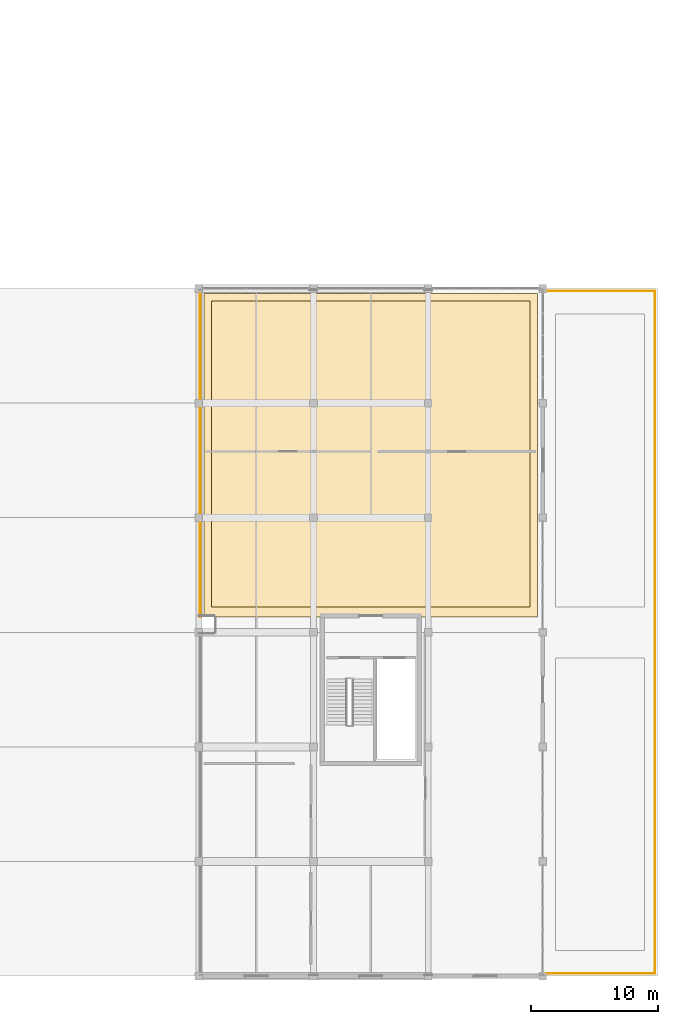
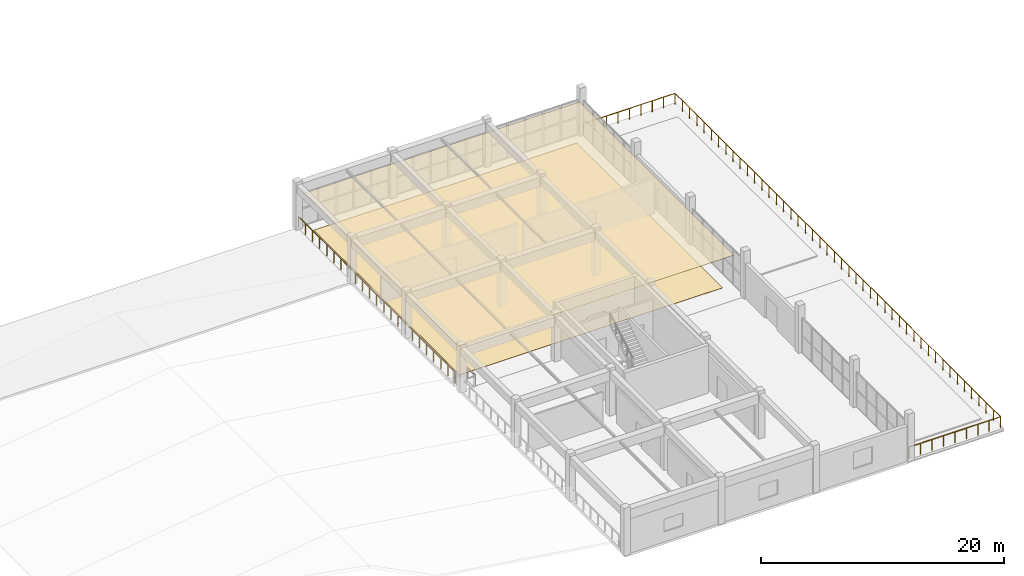
# One storey, part 81 of 89: 2 coverings, 2 railings.
"""IFC4 building model written with IfcOpenShell, lengths in metres."""

from ifc_helpers import new_model, si_unit, direction, frame, origin, origin_2d, place, context, subcontext, project, spatial, polyline, circle, outline, extrude, material, layer, layer_set, type_object, element, save


model = new_model("IFC4")

# Units and contexts
model_context = context("Model", 3, precision=1e-05, world=origin(), true_north=direction((0.0, 1.0)))
body_context = subcontext(model_context, "Body", "Model", "MODEL_VIEW")
ifc_project = project(units=[si_unit("LENGTHUNIT", "METRE"), si_unit("AREAUNIT", "SQUARE_METRE"), si_unit("VOLUMEUNIT", "CUBIC_METRE"), si_unit("PLANEANGLEUNIT", "RADIAN"), si_unit("MASSUNIT", "GRAM", prefix="KILO")], contexts=[model_context])

# Site, building, storey
site_placement = place(None, origin())
site = spatial("IfcSite", under=ifc_project, at=site_placement, CompositionType="ELEMENT")
building_placement = place(site_placement, origin())
building = spatial("IfcBuilding", under=site, at=building_placement, Name="Dornveld Trade and Exhibition Forum", CompositionType="ELEMENT")
storey_placement = place(building_placement, frame((0.0, 0.0, 12.0)))
storey = spatial("IfcBuildingStorey", under=building, at=storey_placement, Name="L02", CompositionType="ELEMENT", Elevation=12.0)

# Coverings
ifc_material_1 = material(Name="Suspended timber-slat acoustic ceiling", Category="wood")
ifc_layer_1 = layer(ifc_material_1, 0.034912109375)
ifc_layer_set_1 = layer_set([ifc_layer_1], Name="Suspended timber-slat acoustic ceiling")
covering_type_1 = type_object("IfcCoveringType", Name="COV-CLG-ACOUST", PredefinedType="CEILING", material=ifc_layer_set_1)
covering_1_placement = place(storey_placement, frame((0.0, 0.0, 3.5400390625)))
element("IfcCovering", 1, at=covering_1_placement, inside=storey, type_object=covering_type_1, Name="L02 acoustic timber-slat ceiling 3", PredefinedType="CEILING", context=body_context, shape_type="SweptSolid", body=[
    extrude(outline(polyline([(198.39990234375, 28.199951171875), (224.60009765625, 28.199951171875), (224.60009765625, 53.60009765625), (198.39990234375, 53.60009765625), (198.39990234375, 28.199951171875)])), origin(), (0.0, 0.0, 1.0), 0.034912109375),
])
ifc_material_2 = material(Name="Acoustic woven wool congress flooring", Category="textile")
ifc_layer_2 = layer(ifc_material_2, 0.01806640625)
ifc_layer_set_2 = layer_set([ifc_layer_2], Name="Acoustic woven wool congress flooring")
covering_type_2 = type_object("IfcCoveringType", Name="COV-FLR-CARP", PredefinedType="FLOORING", material=ifc_layer_set_2)
covering_2_placement = place(storey_placement, origin())
element("IfcCovering", 2, at=covering_2_placement, inside=storey, type_object=covering_type_2, Name="L02 architectural floor finish 5", PredefinedType="FLOORING", context=body_context, shape_type="SweptSolid", body=[
    extrude(outline(polyline([(199.0, 29.0), (224.0, 29.0), (224.0, 53.0), (199.0, 53.0), (199.0, 29.0)])), origin(), (0.0, 0.0, 1.0), 0.01806640625),
])

# Railings
ifc_material_3 = material(Name="Dark-bronze steel and laminated glass balustrade", Category="steel")
railing_type = type_object("IfcRailingType", Name="RL-BALUST-CONC", PredefinedType="BALUSTRADE", material=ifc_material_3)
railing_1_placement = place(storey_placement, frame((225.10009765625, 0.199951171875, 0.0)))
element("IfcRailing", 3, at=railing_1_placement, inside=storey, type_object=railing_type, Name="L02 protective edge guard 3", PredefinedType="BALUSTRADE", context=body_context, shape_type="SweptSolid", body=[
    extrude(circle(Radius=0.02490234375, at=origin_2d()), frame((0.0, 0.0, 1.09521484375), z_axis=(1.0, 0.0, 0.0), x_axis=(0.0, 1.0, 0.0)), (0.0, 0.0, 1.0), 8.699951171875),
    extrude(circle(Radius=0.02490234375, at=origin_2d()), frame((8.699951171875, 0.0, 1.09521484375), z_axis=(0.0, 1.0, 0.0), x_axis=(-1.0, 0.0, 0.0)), (0.0, 0.0, 1.0), 53.60009765625),
    extrude(circle(Radius=0.02490234375, at=origin_2d()), frame((8.699951171875, 53.60009765625, 1.09521484375), z_axis=(-1.0, 0.0, 0.0), x_axis=(0.0, -1.0, 0.0)), (0.0, 0.0, 1.0), 8.699951171875),
    extrude(circle(Radius=0.02099609375, at=origin_2d()), origin(), (0.0, 0.0, 1.0), 1.070068359375),
    extrude(circle(Radius=0.02099609375, at=origin_2d()), frame((1.08740234375, 0.0, 0.0)), (0.0, 0.0, 1.0), 1.070068359375),
    extrude(circle(Radius=0.02099609375, at=origin_2d()), frame((2.175048828125, 0.0, 0.0)), (0.0, 0.0, 1.0), 1.070068359375),
    extrude(circle(Radius=0.02099609375, at=origin_2d()), frame((3.262451171875, 0.0, 0.0)), (0.0, 0.0, 1.0), 1.070068359375),
    extrude(circle(Radius=0.02099609375, at=origin_2d()), frame((4.35009765625, 0.0, 0.0)), (0.0, 0.0, 1.0), 1.070068359375),
    extrude(circle(Radius=0.02099609375, at=origin_2d()), frame((5.4375, 0.0, 0.0)), (0.0, 0.0, 1.0), 1.070068359375),
    extrude(circle(Radius=0.02099609375, at=origin_2d()), frame((6.52490234375, 0.0, 0.0)), (0.0, 0.0, 1.0), 1.070068359375),
    extrude(circle(Radius=0.02099609375, at=origin_2d()), frame((7.612548828125, 0.0, 0.0)), (0.0, 0.0, 1.0), 1.070068359375),
    extrude(circle(Radius=0.02099609375, at=origin_2d()), frame((8.699951171875, 0.0, 0.0)), (0.0, 0.0, 1.0), 1.070068359375),
    extrude(circle(Radius=0.02099609375, at=origin_2d()), frame((8.699951171875, 1.191162109375, 0.0)), (0.0, 0.0, 1.0), 1.070068359375),
    extrude(circle(Radius=0.02099609375, at=origin_2d()), frame((8.699951171875, 2.38232421875, 0.0)), (0.0, 0.0, 1.0), 1.070068359375),
    extrude(circle(Radius=0.02099609375, at=origin_2d()), frame((8.699951171875, 3.5732421875, 0.0)), (0.0, 0.0, 1.0), 1.070068359375),
    extrude(circle(Radius=0.02099609375, at=origin_2d()), frame((8.699951171875, 4.764404296875, 0.0)), (0.0, 0.0, 1.0), 1.070068359375),
    extrude(circle(Radius=0.02099609375, at=origin_2d()), frame((8.699951171875, 5.95556640625, 0.0)), (0.0, 0.0, 1.0), 1.070068359375),
    extrude(circle(Radius=0.02099609375, at=origin_2d()), frame((8.699951171875, 7.146728515625, 0.0)), (0.0, 0.0, 1.0), 1.070068359375),
    extrude(circle(Radius=0.02099609375, at=origin_2d()), frame((8.699951171875, 8.337890625, 0.0)), (0.0, 0.0, 1.0), 1.070068359375),
    extrude(circle(Radius=0.02099609375, at=origin_2d()), frame((8.699951171875, 9.52880859375, 0.0)), (0.0, 0.0, 1.0), 1.070068359375),
    extrude(circle(Radius=0.02099609375, at=origin_2d()), frame((8.699951171875, 10.719970703125, 0.0)), (0.0, 0.0, 1.0), 1.070068359375),
    extrude(circle(Radius=0.02099609375, at=origin_2d()), frame((8.699951171875, 11.9111328125, 0.0)), (0.0, 0.0, 1.0), 1.070068359375),
    extrude(circle(Radius=0.02099609375, at=origin_2d()), frame((8.699951171875, 13.102294921875, 0.0)), (0.0, 0.0, 1.0), 1.070068359375),
    extrude(circle(Radius=0.02099609375, at=origin_2d()), frame((8.699951171875, 14.29345703125, 0.0)), (0.0, 0.0, 1.0), 1.070068359375),
    extrude(circle(Radius=0.02099609375, at=origin_2d()), frame((8.699951171875, 15.484375, 0.0)), (0.0, 0.0, 1.0), 1.070068359375),
    extrude(circle(Radius=0.02099609375, at=origin_2d()), frame((8.699951171875, 16.675537109375, 0.0)), (0.0, 0.0, 1.0), 1.070068359375),
    extrude(circle(Radius=0.02099609375, at=origin_2d()), frame((8.699951171875, 17.86669921875, 0.0)), (0.0, 0.0, 1.0), 1.070068359375),
    extrude(circle(Radius=0.02099609375, at=origin_2d()), frame((8.699951171875, 19.057861328125, 0.0)), (0.0, 0.0, 1.0), 1.070068359375),
    extrude(circle(Radius=0.02099609375, at=origin_2d()), frame((8.699951171875, 20.2490234375, 0.0)), (0.0, 0.0, 1.0), 1.070068359375),
    extrude(circle(Radius=0.02099609375, at=origin_2d()), frame((8.699951171875, 21.43994140625, 0.0)), (0.0, 0.0, 1.0), 1.070068359375),
    extrude(circle(Radius=0.02099609375, at=origin_2d()), frame((8.699951171875, 22.631103515625, 0.0)), (0.0, 0.0, 1.0), 1.070068359375),
    extrude(circle(Radius=0.02099609375, at=origin_2d()), frame((8.699951171875, 23.822265625, 0.0)), (0.0, 0.0, 1.0), 1.070068359375),
    extrude(circle(Radius=0.02099609375, at=origin_2d()), frame((8.699951171875, 25.013427734375, 0.0)), (0.0, 0.0, 1.0), 1.070068359375),
    extrude(circle(Radius=0.02099609375, at=origin_2d()), frame((8.699951171875, 26.20458984375, 0.0)), (0.0, 0.0, 1.0), 1.070068359375),
    extrude(circle(Radius=0.02099609375, at=origin_2d()), frame((8.699951171875, 27.3955078125, 0.0)), (0.0, 0.0, 1.0), 1.070068359375),
    extrude(circle(Radius=0.02099609375, at=origin_2d()), frame((8.699951171875, 28.586669921875, 0.0)), (0.0, 0.0, 1.0), 1.070068359375),
    extrude(circle(Radius=0.02099609375, at=origin_2d()), frame((8.699951171875, 29.77783203125, 0.0)), (0.0, 0.0, 1.0), 1.070068359375),
    extrude(circle(Radius=0.02099609375, at=origin_2d()), frame((8.699951171875, 30.968994140625, 0.0)), (0.0, 0.0, 1.0), 1.070068359375),
    extrude(circle(Radius=0.02099609375, at=origin_2d()), frame((8.699951171875, 32.16015625, 0.0)), (0.0, 0.0, 1.0), 1.070068359375),
    extrude(circle(Radius=0.02099609375, at=origin_2d()), frame((8.699951171875, 33.35107421875, 0.0)), (0.0, 0.0, 1.0), 1.070068359375),
    extrude(circle(Radius=0.02099609375, at=origin_2d()), frame((8.699951171875, 34.542236328125, 0.0)), (0.0, 0.0, 1.0), 1.070068359375),
    extrude(circle(Radius=0.02099609375, at=origin_2d()), frame((8.699951171875, 35.7333984375, 0.0)), (0.0, 0.0, 1.0), 1.070068359375),
    extrude(circle(Radius=0.02099609375, at=origin_2d()), frame((8.699951171875, 36.924560546875, 0.0)), (0.0, 0.0, 1.0), 1.070068359375),
    extrude(circle(Radius=0.02099609375, at=origin_2d()), frame((8.699951171875, 38.11572265625, 0.0)), (0.0, 0.0, 1.0), 1.070068359375),
    extrude(circle(Radius=0.02099609375, at=origin_2d()), frame((8.699951171875, 39.306640625, 0.0)), (0.0, 0.0, 1.0), 1.070068359375),
    extrude(circle(Radius=0.02099609375, at=origin_2d()), frame((8.699951171875, 40.497802734375, 0.0)), (0.0, 0.0, 1.0), 1.070068359375),
    extrude(circle(Radius=0.02099609375, at=origin_2d()), frame((8.699951171875, 41.68896484375, 0.0)), (0.0, 0.0, 1.0), 1.070068359375),
    extrude(circle(Radius=0.02099609375, at=origin_2d()), frame((8.699951171875, 42.880126953125, 0.0)), (0.0, 0.0, 1.0), 1.070068359375),
    extrude(circle(Radius=0.02099609375, at=origin_2d()), frame((8.699951171875, 44.0712890625, 0.0)), (0.0, 0.0, 1.0), 1.070068359375),
    extrude(circle(Radius=0.02099609375, at=origin_2d()), frame((8.699951171875, 45.26220703125, 0.0)), (0.0, 0.0, 1.0), 1.070068359375),
    extrude(circle(Radius=0.02099609375, at=origin_2d()), frame((8.699951171875, 46.453369140625, 0.0)), (0.0, 0.0, 1.0), 1.070068359375),
    extrude(circle(Radius=0.02099609375, at=origin_2d()), frame((8.699951171875, 47.64453125, 0.0)), (0.0, 0.0, 1.0), 1.070068359375),
    extrude(circle(Radius=0.02099609375, at=origin_2d()), frame((8.699951171875, 48.835693359375, 0.0)), (0.0, 0.0, 1.0), 1.070068359375),
    extrude(circle(Radius=0.02099609375, at=origin_2d()), frame((8.699951171875, 50.02685546875, 0.0)), (0.0, 0.0, 1.0), 1.070068359375),
    extrude(circle(Radius=0.02099609375, at=origin_2d()), frame((8.699951171875, 51.2177734375, 0.0)), (0.0, 0.0, 1.0), 1.070068359375),
    extrude(circle(Radius=0.02099609375, at=origin_2d()), frame((8.699951171875, 52.408935546875, 0.0)), (0.0, 0.0, 1.0), 1.070068359375),
    extrude(circle(Radius=0.02099609375, at=origin_2d()), frame((8.699951171875, 53.60009765625, 0.0)), (0.0, 0.0, 1.0), 1.070068359375),
    extrude(circle(Radius=0.02099609375, at=origin_2d()), frame((7.612548828125, 53.60009765625, 0.0)), (0.0, 0.0, 1.0), 1.070068359375),
    extrude(circle(Radius=0.02099609375, at=origin_2d()), frame((6.52490234375, 53.60009765625, 0.0)), (0.0, 0.0, 1.0), 1.070068359375),
    extrude(circle(Radius=0.02099609375, at=origin_2d()), frame((5.4375, 53.60009765625, 0.0)), (0.0, 0.0, 1.0), 1.070068359375),
    extrude(circle(Radius=0.02099609375, at=origin_2d()), frame((4.35009765625, 53.60009765625, 0.0)), (0.0, 0.0, 1.0), 1.070068359375),
    extrude(circle(Radius=0.02099609375, at=origin_2d()), frame((3.262451171875, 53.60009765625, 0.0)), (0.0, 0.0, 1.0), 1.070068359375),
    extrude(circle(Radius=0.02099609375, at=origin_2d()), frame((2.175048828125, 53.60009765625, 0.0)), (0.0, 0.0, 1.0), 1.070068359375),
    extrude(circle(Radius=0.02099609375, at=origin_2d()), frame((1.08740234375, 53.60009765625, 0.0)), (0.0, 0.0, 1.0), 1.070068359375),
    extrude(circle(Radius=0.02099609375, at=origin_2d()), frame((0.0, 53.60009765625, 0.0)), (0.0, 0.0, 1.0), 1.070068359375),
])
railing_2_placement = place(storey_placement, frame((198.10009765625, 28.199951171875, 0.0)))
element("IfcRailing", 4, at=railing_2_placement, inside=storey, type_object=railing_type, Name="L02 deck edge balustrade 102", PredefinedType="BALUSTRADE", context=body_context, shape_type="SweptSolid", body=[
    extrude(circle(Radius=0.02490234375, at=origin_2d()), frame((0.0, 0.0, 1.09521484375), z_axis=(0.0, 1.0, 0.0), x_axis=(-1.0, 0.0, 0.0)), (0.0, 0.0, 1.0), 25.800048828125),
    extrude(circle(Radius=0.02099609375, at=origin_2d()), origin(), (0.0, 0.0, 1.0), 1.070068359375),
    extrude(circle(Radius=0.02099609375, at=origin_2d()), frame((0.0, 1.1728515625, 0.0)), (0.0, 0.0, 1.0), 1.070068359375),
    extrude(circle(Radius=0.02099609375, at=origin_2d()), frame((0.0, 2.345458984375, 0.0)), (0.0, 0.0, 1.0), 1.070068359375),
    extrude(circle(Radius=0.02099609375, at=origin_2d()), frame((0.0, 3.51806640625, 0.0)), (0.0, 0.0, 1.0), 1.070068359375),
    extrude(circle(Radius=0.02099609375, at=origin_2d()), frame((0.0, 4.69091796875, 0.0)), (0.0, 0.0, 1.0), 1.070068359375),
    extrude(circle(Radius=0.02099609375, at=origin_2d()), frame((0.0, 5.86376953125, 0.0)), (0.0, 0.0, 1.0), 1.070068359375),
    extrude(circle(Radius=0.02099609375, at=origin_2d()), frame((0.0, 7.036376953125, 0.0)), (0.0, 0.0, 1.0), 1.070068359375),
    extrude(circle(Radius=0.02099609375, at=origin_2d()), frame((0.0, 8.208984375, 0.0)), (0.0, 0.0, 1.0), 1.070068359375),
    extrude(circle(Radius=0.02099609375, at=origin_2d()), frame((0.0, 9.3818359375, 0.0)), (0.0, 0.0, 1.0), 1.070068359375),
    extrude(circle(Radius=0.02099609375, at=origin_2d()), frame((0.0, 10.5546875, 0.0)), (0.0, 0.0, 1.0), 1.070068359375),
    extrude(circle(Radius=0.02099609375, at=origin_2d()), frame((0.0, 11.727294921875, 0.0)), (0.0, 0.0, 1.0), 1.070068359375),
    extrude(circle(Radius=0.02099609375, at=origin_2d()), frame((0.0, 12.89990234375, 0.0)), (0.0, 0.0, 1.0), 1.070068359375),
    extrude(circle(Radius=0.02099609375, at=origin_2d()), frame((0.0, 14.07275390625, 0.0)), (0.0, 0.0, 1.0), 1.070068359375),
    extrude(circle(Radius=0.02099609375, at=origin_2d()), frame((0.0, 15.24560546875, 0.0)), (0.0, 0.0, 1.0), 1.070068359375),
    extrude(circle(Radius=0.02099609375, at=origin_2d()), frame((0.0, 16.418212890625, 0.0)), (0.0, 0.0, 1.0), 1.070068359375),
    extrude(circle(Radius=0.02099609375, at=origin_2d()), frame((0.0, 17.5908203125, 0.0)), (0.0, 0.0, 1.0), 1.070068359375),
    extrude(circle(Radius=0.02099609375, at=origin_2d()), frame((0.0, 18.763671875, 0.0)), (0.0, 0.0, 1.0), 1.070068359375),
    extrude(circle(Radius=0.02099609375, at=origin_2d()), frame((0.0, 19.9365234375, 0.0)), (0.0, 0.0, 1.0), 1.070068359375),
    extrude(circle(Radius=0.02099609375, at=origin_2d()), frame((0.0, 21.109130859375, 0.0)), (0.0, 0.0, 1.0), 1.070068359375),
    extrude(circle(Radius=0.02099609375, at=origin_2d()), frame((0.0, 22.28173828125, 0.0)), (0.0, 0.0, 1.0), 1.070068359375),
    extrude(circle(Radius=0.02099609375, at=origin_2d()), frame((0.0, 23.45458984375, 0.0)), (0.0, 0.0, 1.0), 1.070068359375),
    extrude(circle(Radius=0.02099609375, at=origin_2d()), frame((0.0, 24.62744140625, 0.0)), (0.0, 0.0, 1.0), 1.070068359375),
    extrude(circle(Radius=0.02099609375, at=origin_2d()), frame((0.0, 25.800048828125, 0.0)), (0.0, 0.0, 1.0), 1.070068359375),
])

save(model, "model.ifc")
